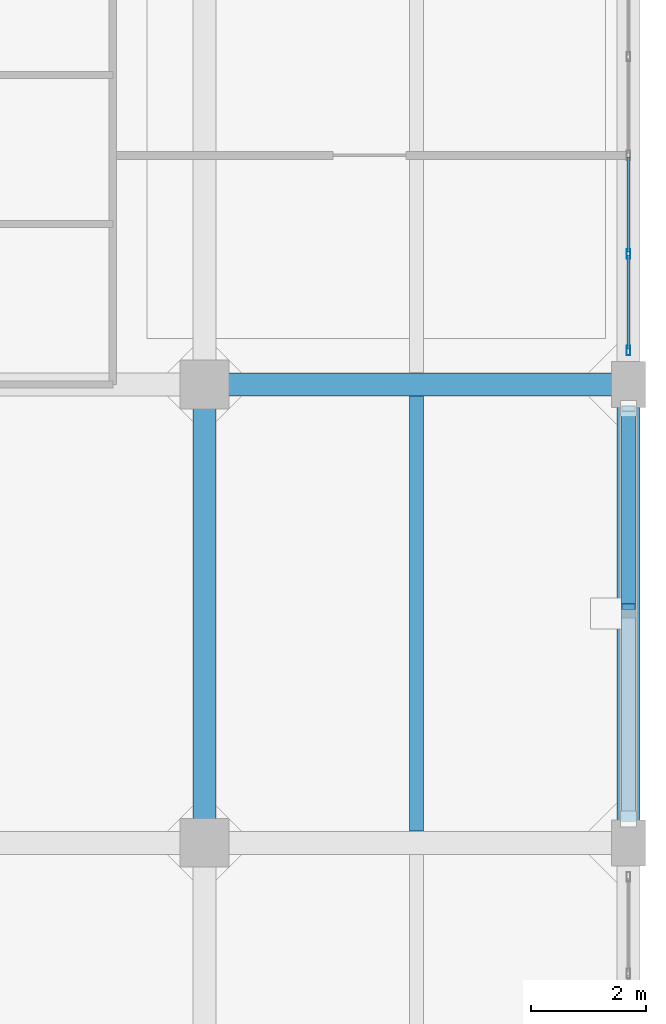
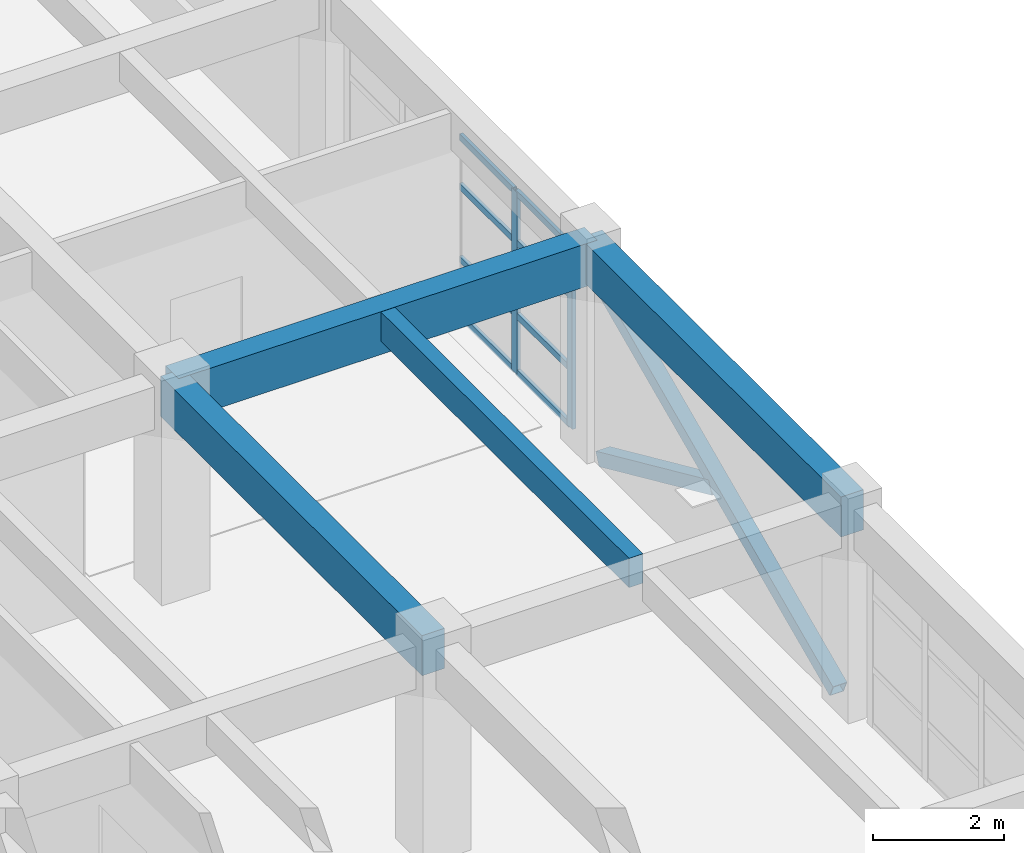
# One storey, part 12 of 30: 12 members, 4 beams, 1 element without a shape of its own.
"""IFC4 building model written with IfcOpenShell, lengths in metres."""

from ifc_helpers import new_model, si_unit, direction, frame, origin, origin_2d, place, context, subcontext, project, spatial, rectangle, hollow_rectangle, extrude, material, layer, layer_set, material_profile, profile_set, type_object, element, aggregate, save


model = new_model("IFC4")

# Units and contexts
model_context = context("Model", 3, precision=1e-05, world=origin(), true_north=direction((0.0, 1.0)))
body_context = subcontext(model_context, "Body", "Model", "MODEL_VIEW")
ifc_project = project(units=[si_unit("LENGTHUNIT", "METRE"), si_unit("AREAUNIT", "SQUARE_METRE"), si_unit("VOLUMEUNIT", "CUBIC_METRE"), si_unit("PLANEANGLEUNIT", "RADIAN"), si_unit("MASSUNIT", "GRAM", prefix="KILO")], contexts=[model_context])

# Site, building, storey
site_placement = place(None, origin())
site = spatial("IfcSite", under=ifc_project, at=site_placement, CompositionType="ELEMENT")
building_placement = place(site_placement, origin())
building = spatial("IfcBuilding", under=site, at=building_placement, Name="Canggui Botanical Conservatory", CompositionType="ELEMENT")
storey_placement = place(building_placement, frame((0.0, 0.0, 19.199951171875)))
storey = spatial("IfcBuildingStorey", under=building, at=storey_placement, Name="L05", CompositionType="ELEMENT", Elevation=19.199951171875)

# Beams
ifc_material_1 = material(Name="Concrete C35", Category="concrete")
ifc_material_profile_1 = material_profile(ifc_material_1, rectangle(XDim=0.25, YDim=0.550048828125, at=origin_2d()), Name="RB 250x550")
ifc_profile_set_1 = profile_set([ifc_material_profile_1], Name="Concrete C35")
beam_type_1 = type_object("IfcBeamType", Name="BM-JST03", PredefinedType="JOIST", material=ifc_profile_set_1)
beam_1_placement = place(storey_placement, frame((173.699951171875, 42.205078125, 3.68505859375), z_axis=(0.0, 1.0, 0.0), x_axis=(-1.0, 0.0, 0.0)))
element("IfcBeam", 1, at=beam_1_placement, inside=storey, type_object=beam_type_1, Name="Secondary Floor Joist L05-5-3", PredefinedType="JOIST", context=body_context, shape_type="SweptSolid", body=[
    extrude(rectangle(XDim=0.25, YDim=0.550048828125, at=origin_2d()), origin(), (0.0, 0.0, 1.0), 7.58984375),
])
ifc_material_profile_2 = material_profile(ifc_material_1, rectangle(XDim=0.39990234375, YDim=0.800048828125, at=origin_2d()), Name="RB 400x800")
ifc_profile_set_2 = profile_set([ifc_material_profile_2], Name="Concrete C35")
beam_type_2 = type_object("IfcBeamType", Name="BM-KL09", PredefinedType="BEAM", material=ifc_profile_set_2)
beam_2_placement = place(storey_placement, frame((170.0, 50.0, 3.56005859375), z_axis=(1.0, 0.0, 0.0), x_axis=(0.0, 1.0, 0.0)))
element("IfcBeam", 2, at=beam_2_placement, inside=storey, type_object=beam_type_2, Name="Frame Girder L05 Y50-5", PredefinedType="BEAM", context=body_context, shape_type="SweptSolid", body=[
    extrude(rectangle(XDim=0.39990234375, YDim=0.800048828125, at=origin_2d()), origin(), (0.0, 0.0, 1.0), 7.39990234375),
])
ifc_material_profile_3 = material_profile(ifc_material_1, rectangle(XDim=0.39990234375, YDim=0.75, at=origin_2d()), Name="RB 400x750")
ifc_profile_set_3 = profile_set([ifc_material_profile_3], Name="Concrete C35")
beam_type_3 = type_object("IfcBeamType", Name="BM-KL10", PredefinedType="BEAM", material=ifc_profile_set_3)
for number, where, z_axis, x_axis, name in (
    (3, (170.0, 42.0, 3.5849609375), (0.0, 1.0, 0.0), (-1.0, 0.0, 0.0), "Frame Girder L05 X170-3"),
    (4, (177.39990234375, 42.0, 3.5849609375), (0.0, 1.0, 0.0), (-1.0, 0.0, 0.0), "Frame Girder L05 X178-3"),
):
    element("IfcBeam", number, at=place(storey_placement, frame(where, z_axis=z_axis, x_axis=x_axis)), inside=storey, type_object=beam_type_3, Name=name, PredefinedType="BEAM", context=body_context, shape_type="SweptSolid", body=[
        extrude(rectangle(XDim=0.39990234375, YDim=0.75, at=origin_2d()), origin(), (0.0, 0.0, 1.0), 8.0),
    ])

# Curtain wall, members
ifc_material_2 = material(Name="Thermally Broken Aluminium", Category="aluminium")
ifc_layer = layer(ifc_material_2, 0.1650390625, Name="Thermally Broken Aluminium", Category="aluminium")
ifc_layer_set = layer_set([ifc_layer], Name="Thermally Broken Aluminium")
curtain_wall_type = type_object("IfcCurtainWallType", Name="CW-UNIT-B", PredefinedType="USERDEFINED", material=ifc_layer_set)
curtain_wall_placement = place(storey_placement, origin())
curtain_wall = element("IfcCurtainWall", 5, at=curtain_wall_placement, inside=storey, type_object=curtain_wall_type, Name="Facade Curtain Wall CW-TWR-L05-19", ObjectType="UNITISED CURTAIN WALL", PredefinedType="USERDEFINED")
ifc_material_profile_4 = material_profile(ifc_material_2, hollow_rectangle(XDim=0.06494140625, YDim=0.1650390625, WallThickness=0.00390625, at=origin_2d()), Name="CWM 65x165x4")
ifc_profile_set_4 = profile_set([ifc_material_profile_4], Name="Thermally Broken Aluminium")
member_type_1 = type_object("IfcMemberType", Name="CWM-02", PredefinedType="MULLION", material=ifc_profile_set_4)
member_1_placement = place(storey_placement, frame((177.39990234375, 52.280029296875, 0.0), z_axis=(0.0, 0.0, 1.0), x_axis=(1.0, 0.0, 0.0)))
member_1 = element("IfcMember", 6, at=member_1_placement, type_object=member_type_1, Name="CW-02 mullion 4", PredefinedType="MULLION", context=body_context, shape_type="SweptSolid", body=[
    extrude(hollow_rectangle(XDim=0.06494140625, YDim=0.1650390625, WallThickness=0.00390625, at=origin_2d()), origin(), (0.0, 0.0, 1.0), 3.400146484375),
])
member_2_placement = place(storey_placement, frame((177.39990234375, 50.592529296875, 0.0), z_axis=(0.0, 0.0, 1.0), x_axis=(1.0, 0.0, 0.0)))
member_2 = element("IfcMember", 7, at=member_2_placement, type_object=member_type_1, Name="CW-02 mullion 5", PredefinedType="MULLION", context=body_context, shape_type="SweptSolid", body=[
    extrude(hollow_rectangle(XDim=0.06494140625, YDim=0.1650390625, WallThickness=0.00390625, at=origin_2d()), origin(), (0.0, 0.0, 1.0), 3.400146484375),
])
ifc_material_profile_5 = material_profile(ifc_material_2, hollow_rectangle(XDim=0.06005859375, YDim=0.1201171875, WallThickness=0.00341796875, at=origin_2d()), Name="CWT 60x120x3.5")
ifc_profile_set_5 = profile_set([ifc_material_profile_5], Name="Thermally Broken Aluminium")
member_type_2 = type_object("IfcMemberType", Name="CWT-02", PredefinedType="USERDEFINED", material=ifc_profile_set_5)
member_3_placement = place(storey_placement, frame((177.39990234375, 53.967529296875, 0.030029296875), z_axis=(0.0, -1.0, 0.0), x_axis=(1.0, 0.0, 0.0)))
member_3 = element("IfcMember", 8, at=member_3_placement, type_object=member_type_2, Name="CW-02 transom 3.1", ObjectType="TRANSOM", PredefinedType="USERDEFINED", context=body_context, shape_type="SweptSolid", body=[
    extrude(hollow_rectangle(XDim=0.06005859375, YDim=0.1201171875, WallThickness=0.00341796875, at=origin_2d()), origin(), (0.0, 0.0, 1.0), 1.655029296875),
])
member_4_placement = place(storey_placement, frame((177.39990234375, 53.967529296875, 1.088134765625), z_axis=(0.0, -1.0, 0.0), x_axis=(1.0, 0.0, 0.0)))
member_4 = element("IfcMember", 9, at=member_4_placement, type_object=member_type_2, Name="CW-02 transom 3.2", ObjectType="TRANSOM", PredefinedType="USERDEFINED", context=body_context, shape_type="SweptSolid", body=[
    extrude(hollow_rectangle(XDim=0.06005859375, YDim=0.1201171875, WallThickness=0.00341796875, at=origin_2d()), origin(), (0.0, 0.0, 1.0), 1.655029296875),
])
member_5_placement = place(storey_placement, frame((177.39990234375, 53.967529296875, 2.447998046875), z_axis=(0.0, -1.0, 0.0), x_axis=(1.0, 0.0, 0.0)))
member_5 = element("IfcMember", 10, at=member_5_placement, type_object=member_type_2, Name="CW-02 transom 3.3", ObjectType="TRANSOM", PredefinedType="USERDEFINED", context=body_context, shape_type="SweptSolid", body=[
    extrude(hollow_rectangle(XDim=0.06005859375, YDim=0.1201171875, WallThickness=0.00341796875, at=origin_2d()), origin(), (0.0, 0.0, 1.0), 1.655029296875),
])
member_6_placement = place(storey_placement, frame((177.39990234375, 53.967529296875, 3.3701171875), z_axis=(0.0, -1.0, 0.0), x_axis=(1.0, 0.0, 0.0)))
member_6 = element("IfcMember", 11, at=member_6_placement, type_object=member_type_2, Name="CW-02 transom 3.4", ObjectType="TRANSOM", PredefinedType="USERDEFINED", context=body_context, shape_type="SweptSolid", body=[
    extrude(hollow_rectangle(XDim=0.06005859375, YDim=0.1201171875, WallThickness=0.00341796875, at=origin_2d()), origin(), (0.0, 0.0, 1.0), 1.655029296875),
])
member_7_placement = place(storey_placement, frame((177.39990234375, 52.24755859375, 0.030029296875), z_axis=(0.0, -1.0, 0.0), x_axis=(1.0, 0.0, 0.0)))
member_7 = element("IfcMember", 12, at=member_7_placement, type_object=member_type_2, Name="CW-02 transom 4.1", ObjectType="TRANSOM", PredefinedType="USERDEFINED", context=body_context, shape_type="SweptSolid", body=[
    extrude(hollow_rectangle(XDim=0.06005859375, YDim=0.1201171875, WallThickness=0.00341796875, at=origin_2d()), origin(), (0.0, 0.0, 1.0), 1.62255859375),
])
member_8_placement = place(storey_placement, frame((177.39990234375, 52.24755859375, 1.088134765625), z_axis=(0.0, -1.0, 0.0), x_axis=(1.0, 0.0, 0.0)))
member_8 = element("IfcMember", 13, at=member_8_placement, type_object=member_type_2, Name="CW-02 transom 4.2", ObjectType="TRANSOM", PredefinedType="USERDEFINED", context=body_context, shape_type="SweptSolid", body=[
    extrude(hollow_rectangle(XDim=0.06005859375, YDim=0.1201171875, WallThickness=0.00341796875, at=origin_2d()), origin(), (0.0, 0.0, 1.0), 1.62255859375),
])
member_9_placement = place(storey_placement, frame((177.39990234375, 52.24755859375, 2.447998046875), z_axis=(0.0, -1.0, 0.0), x_axis=(1.0, 0.0, 0.0)))
member_9 = element("IfcMember", 14, at=member_9_placement, type_object=member_type_2, Name="CW-02 transom 4.3", ObjectType="TRANSOM", PredefinedType="USERDEFINED", context=body_context, shape_type="SweptSolid", body=[
    extrude(hollow_rectangle(XDim=0.06005859375, YDim=0.1201171875, WallThickness=0.00341796875, at=origin_2d()), origin(), (0.0, 0.0, 1.0), 1.62255859375),
])
member_10_placement = place(storey_placement, frame((177.39990234375, 52.24755859375, 3.3701171875), z_axis=(0.0, -1.0, 0.0), x_axis=(1.0, 0.0, 0.0)))
member_10 = element("IfcMember", 15, at=member_10_placement, type_object=member_type_2, Name="CW-02 transom 4.4", ObjectType="TRANSOM", PredefinedType="USERDEFINED", context=body_context, shape_type="SweptSolid", body=[
    extrude(hollow_rectangle(XDim=0.06005859375, YDim=0.1201171875, WallThickness=0.00341796875, at=origin_2d()), origin(), (0.0, 0.0, 1.0), 1.62255859375),
])
aggregate(curtain_wall, [member_1, member_2, member_3, member_4, member_5, member_6, member_7, member_8, member_9, member_10])

# Members
ifc_material_3 = material(Name="Steel Q355B", Category="steel")
ifc_material_profile_6 = material_profile(ifc_material_3, hollow_rectangle(XDim=0.25, YDim=0.25, WallThickness=0.010009765625, at=origin_2d()), Name="SHS 250x250x10")
ifc_profile_set_6 = profile_set([ifc_material_profile_6], Name="Steel Q355B")
member_type_3 = type_object("IfcMemberType", Name="MEM-ZC01", PredefinedType="BRACE", material=ifc_profile_set_6)
member_11_placement = place(storey_placement, frame((177.39990234375, 42.419921875, 0.050048828125), z_axis=(0.0, 0.911544271313, 0.411201947268), x_axis=(-1.0, 0.0, 0.0)))
element("IfcMember", 16, at=member_11_placement, inside=storey, type_object=member_type_3, Name="Seismic Concentric X-Brace Continuous Diagonal L05-A", PredefinedType="BRACE", context=body_context, shape_type="SweptSolid", body=[
    extrude(hollow_rectangle(XDim=0.25, YDim=0.25, WallThickness=0.010009765625, at=origin_2d()), origin(), (0.0, 0.0, 1.0), 7.85498046875),
])
member_12_placement = place(storey_placement, frame((177.39990234375, 49.580078125, 0.050048828125), z_axis=(0.0, -0.911535661996, 0.411221031697), x_axis=(1.0, 0.0, 0.0)))
element("IfcMember", 17, at=member_12_placement, inside=storey, type_object=member_type_3, Name="Seismic Concentric X-Brace Lower Split Diagonal L05-B1", PredefinedType="BRACE", context=body_context, shape_type="SweptSolid", body=[
    extrude(hollow_rectangle(XDim=0.25, YDim=0.25, WallThickness=0.010009765625, at=origin_2d()), origin(), (0.0, 0.0, 1.0), 3.79248046875),
])

save(model, "model.ifc")
